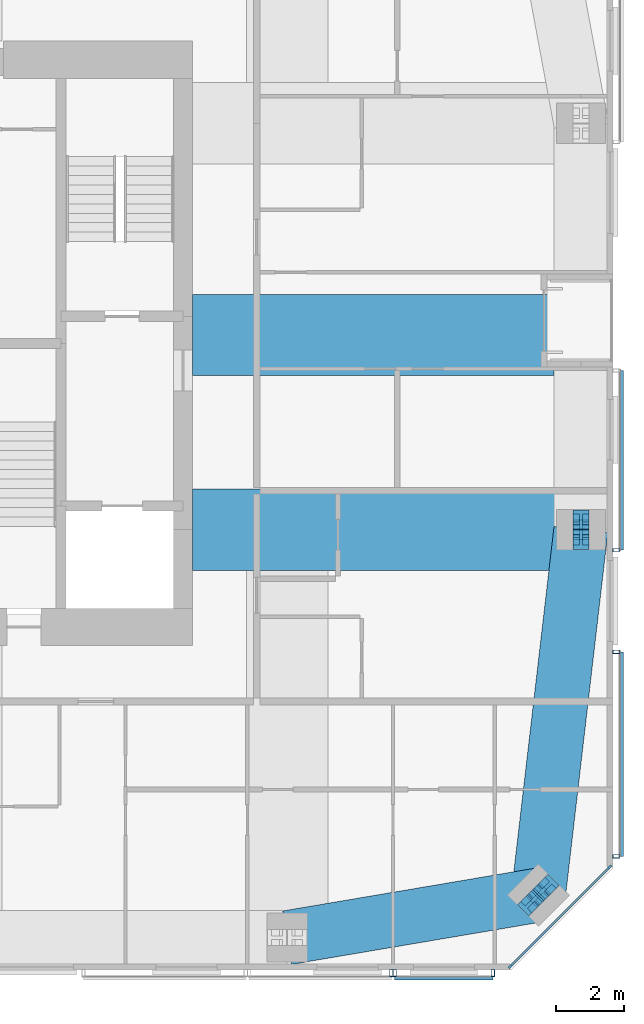
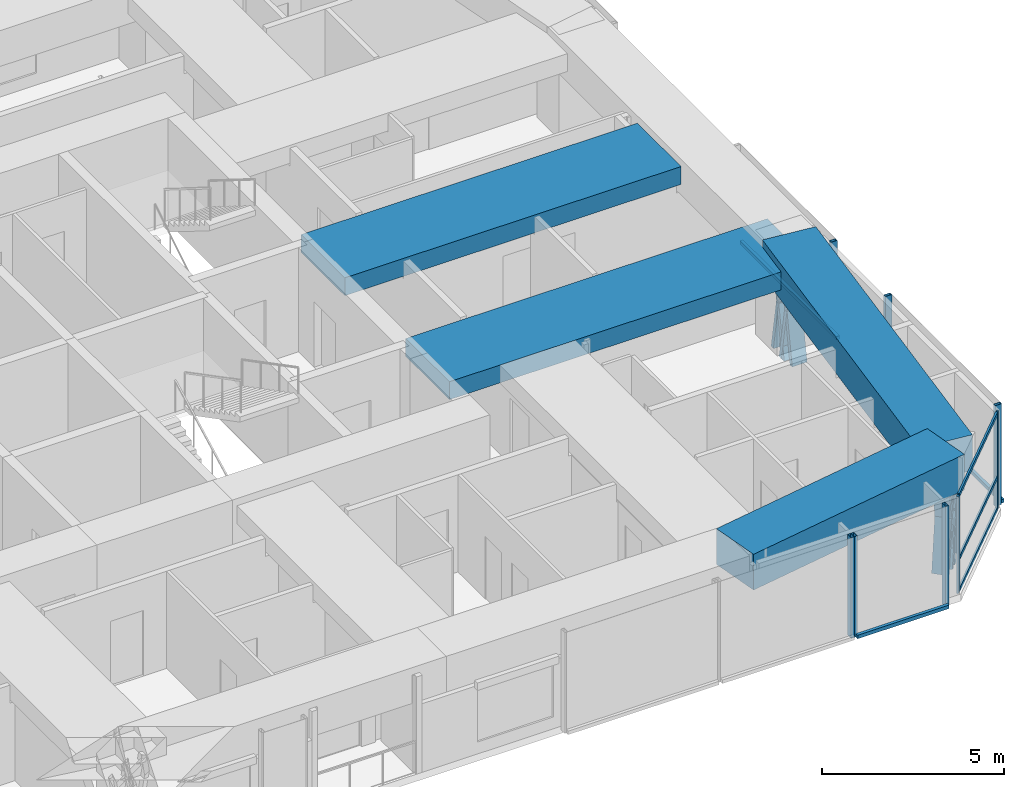
# One storey, part 8 of 20: 22 members, 4 beams, 5 elements without a shape of their own.
"""IFC4 building model written with IfcOpenShell, lengths in metres."""

import ifcopenshell
import ifcopenshell.guid

model = None  # the IFC model being written
_history = None  # IfcOwnerHistory: only IFC2X3 demands one
_inside = {}  # id of a spatial element -> (the spatial element, [elements in it])
_under = {}  # id of a project, library or spatial element -> (it, [spatial elements below it])
_declared = {}  # id of a project -> (the project, [libraries it declares])
_typed = {}  # id of a type object -> (the type object, [elements of that type])
_made_of = {}  # id of a material, layer set ... -> (it, [elements and type objects made of it])


def new_model(schema):
    """Start an empty IFC model of exactly this schema.

    Asked for "IFC4X3", IfcOpenShell would pick the latest addendum, in which some entities
    have other attributes; the version numbers below select the first issue.
    IFC2X3 requires an IfcOwnerHistory on every rooted entity: one is made here for all.
    """
    global model, _history
    if schema == "IFC4X3":
        model = ifcopenshell.file(schema_version=(4, 3, 0, 0))
    else:
        model = ifcopenshell.file(schema=schema)
    _inside.clear()
    _under.clear()
    _declared.clear()
    _typed.clear()
    _made_of.clear()
    _history = None
    if model.schema == "IFC2X3":
        org = make("IfcOrganization", Name="unknown")
        user = make(
            "IfcPersonAndOrganization",
            ThePerson=make("IfcPerson", FamilyName="unknown"),
            TheOrganization=org,
        )
        app = make(
            "IfcApplication",
            ApplicationDeveloper=org,
            Version="unknown",
            ApplicationFullName="unknown",
            ApplicationIdentifier="unknown",
        )
        _history = make(
            "IfcOwnerHistory",
            OwningUser=user,
            OwningApplication=app,
            ChangeAction="ADDED",
            CreationDate=0,
        )
    return model


def make(cls, **values):
    """One entity of the class cls with the attributes given. An attribute that is None is left unset."""
    return model.create_entity(
        cls, **{name: value for name, value in values.items() if value is not None}
    )


def rooted(cls, **values):
    """An entity with a GlobalId (a new one), such as an element, a storey or a relation."""
    return make(cls, GlobalId=ifcopenshell.guid.new(), OwnerHistory=_history, **values)


def si_unit(unit_type, name, prefix=None):
    """IfcSIUnit, for example si_unit("LENGTHUNIT", "METRE", prefix="MILLI")."""
    return make("IfcSIUnit", UnitType=unit_type, Prefix=prefix, Name=name)


def assignment(units):
    """IfcUnitAssignment: the units of a project."""
    return None if units is None else make("IfcUnitAssignment", Units=units)


def point(xyz):
    """IfcCartesianPoint."""
    return None if xyz is None else make("IfcCartesianPoint", Coordinates=xyz)


def direction(xyz):
    """IfcDirection."""
    return None if xyz is None else make("IfcDirection", DirectionRatios=xyz)


def frame(location, z_axis=None, x_axis=None):
    """IfcAxis2Placement3D, a coordinate frame: its origin and axes. An axis left out is left unset."""
    return make(
        "IfcAxis2Placement3D",
        Location=point(location),
        Axis=direction(z_axis),
        RefDirection=direction(x_axis),
    )


def frame_2d(location, x_axis=None):
    """IfcAxis2Placement2D, a coordinate frame in the plane: its origin and x axis."""
    return make(
        "IfcAxis2Placement2D", Location=point(location), RefDirection=direction(x_axis)
    )


def origin():
    """The frame at (0, 0, 0) with its axes left unset."""
    return frame((0.0, 0.0, 0.0))


def origin_2d():
    """The frame at (0, 0) in the plane with its x axis left unset."""
    return frame_2d((0.0, 0.0))


def place(relative_to, where):
    """IfcLocalPlacement: puts the frame where relative to a parent placement (None: the world)."""
    return make(
        "IfcLocalPlacement", PlacementRelTo=relative_to, RelativePlacement=where
    )


def context(
    kind, dimensions, precision=None, world=None, true_north=None, identifier=None
):
    """IfcGeometricRepresentationContext, for example the 3D "Model" context."""
    return make(
        "IfcGeometricRepresentationContext",
        ContextIdentifier=identifier,
        ContextType=kind,
        CoordinateSpaceDimension=dimensions,
        Precision=precision,
        WorldCoordinateSystem=world,
        TrueNorth=true_north,
    )


def subcontext(parent, identifier, kind, view, scale=None):
    """IfcGeometricRepresentationSubContext, for example "Body" below "Model"."""
    return make(
        "IfcGeometricRepresentationSubContext",
        ContextIdentifier=identifier,
        ContextType=kind,
        ParentContext=parent,
        TargetScale=scale,
        TargetView=view,
    )


def project(units=None, contexts=None):
    """IfcProject with its units and contexts."""
    return rooted(
        "IfcProject",
        Name="project",
        RepresentationContexts=contexts,
        UnitsInContext=assignment(units),
    )


def spatial(cls, under=None, at=None, **own):
    """A site, building, storey or space (cls), placed at a placement, below another one or the project."""
    s = rooted(cls, ObjectPlacement=at, **own)
    if under is not None:
        _under.setdefault(under.id(), (under, []))[1].append(s)
    return s


def profile(cls, at=None, kind="AREA", **sizes):
    """A parametric profile (cls). Its sizes go by their IFC names, for example OverallWidth=200.0."""
    return make(cls, ProfileType=kind, Position=at, **sizes)


def rectangle(**sizes):
    """IfcRectangleProfileDef."""
    return profile("IfcRectangleProfileDef", **sizes)


def hollow_rectangle(**sizes):
    """IfcRectangleHollowProfileDef."""
    return profile("IfcRectangleHollowProfileDef", **sizes)


def i_section(**sizes):
    """IfcIShapeProfileDef."""
    return profile("IfcIShapeProfileDef", **sizes)


def extrude(swept, where, along, depth):
    """IfcExtrudedAreaSolid: the profile swept, set in the frame where, extruded along a direction by depth."""
    return make(
        "IfcExtrudedAreaSolid",
        SweptArea=swept,
        Position=where,
        ExtrudedDirection=direction(along),
        Depth=depth,
    )


def shape(context_of_items, identifier, shape_type, items):
    """IfcShapeRepresentation: the items that make up one representation, for example the "Body"."""
    return make(
        "IfcShapeRepresentation",
        ContextOfItems=context_of_items,
        RepresentationIdentifier=identifier,
        RepresentationType=shape_type,
        Items=items,
    )


def material(Name=None, Category=None):
    """IfcMaterial."""
    return make("IfcMaterial", Name=Name, Category=Category)


def material_profile(
    of_material, cross_section, Name=None, Category=None, Priority=None
):
    """IfcMaterialProfile: a cross section and its material."""
    return make(
        "IfcMaterialProfile",
        Name=Name,
        Material=of_material,
        Profile=cross_section,
        Priority=Priority,
        Category=Category,
    )


def profile_set(profiles, Name=None, composite=None):
    """IfcMaterialProfileSet."""
    return make(
        "IfcMaterialProfileSet",
        Name=Name,
        MaterialProfiles=profiles,
        CompositeProfile=composite,
    )


def made_of(thing, what):
    """Note that an element or type object is made of a material, layer set ...; save() writes the relation."""
    if what is not None:
        _made_of.setdefault(what.id(), (what, []))[1].append(thing)
    return thing


def type_object(cls, material=None, **own):
    """A type object (cls), such as IfcWallType, which elements share."""
    return made_of(rooted(cls, **own), material)


def element(
    cls,
    number,
    at=None,
    inside=None,
    cuts=None,
    type_object=None,
    material=None,
    context=None,
    identifier="Body",
    shape_type=None,
    held_by="IfcProductDefinitionShape",
    body=None,
    shapes=None,
    **own,
):
    """One element of the class cls, such as IfcWall. Its Tag is "e" and its number.

    at: its placement. inside: the storey or other place that contains it. cuts: it is an
    opening in that element (IfcRelVoidsElement). A single representation is given by context,
    identifier, shape_type and body (its items); several are given by shapes. held_by: the class
    of the entity that holds the representations. save() writes the other relations.
    """
    e = rooted(cls, Tag="e%d" % number, ObjectPlacement=at, **own)
    if body is not None:
        shapes = [shape(context, identifier, shape_type, body)]
    if shapes is not None:
        e.Representation = make(held_by, Representations=shapes)
    if inside is not None:
        _inside.setdefault(inside.id(), (inside, []))[1].append(e)
    if cuts is not None:
        rooted(
            "IfcRelVoidsElement", RelatingBuildingElement=cuts, RelatedOpeningElement=e
        )
    if type_object is not None:
        _typed.setdefault(type_object.id(), (type_object, []))[1].append(e)
    return made_of(e, material)


def aggregate(whole, parts):
    """IfcRelAggregates: a whole, such as a stair, and the parts it consists of."""
    return rooted("IfcRelAggregates", RelatingObject=whole, RelatedObjects=parts)


def save(model, path):
    """Write the relations noted so far, then the file.

    IfcRelAggregates (storeys below a building ...), IfcRelContainedInSpatialStructure (elements
    in a storey), IfcRelDefinesByType, IfcRelAssociatesMaterial and IfcRelDeclares: one each for
    every whole, place, type object, material and project.
    """
    for whole, parts in _under.values():
        aggregate(whole, parts)
    for where, things in _inside.values():
        rooted(
            "IfcRelContainedInSpatialStructure",
            RelatedElements=things,
            RelatingStructure=where,
        )
    for kind, things in _typed.values():
        rooted("IfcRelDefinesByType", RelatedObjects=things, RelatingType=kind)
    for what, things in _made_of.values():
        rooted("IfcRelAssociatesMaterial", RelatedObjects=things, RelatingMaterial=what)
    for by, libraries in _declared.values():
        rooted("IfcRelDeclares", RelatingContext=by, RelatedDefinitions=libraries)
    model.write(path)


model = new_model("IFC4")

# Units and contexts
model_context = context("Model", 3, precision=1e-05, world=origin(), true_north=direction((0.0, 1.0)))
body_context = subcontext(model_context, "Body", "Model", "MODEL_VIEW")
ifc_project = project(units=[si_unit("LENGTHUNIT", "METRE"), si_unit("AREAUNIT", "SQUARE_METRE"), si_unit("VOLUMEUNIT", "CUBIC_METRE"), si_unit("PLANEANGLEUNIT", "RADIAN"), si_unit("MASSUNIT", "GRAM", prefix="KILO")], contexts=[model_context])

# Site, building, storey
site_placement = place(None, origin())
site = spatial("IfcSite", under=ifc_project, at=site_placement, CompositionType="ELEMENT")
building_placement = place(site_placement, origin())
building = spatial("IfcBuilding", under=site, at=building_placement, Name="Jalousie Tower", CompositionType="ELEMENT")
storey_placement = place(building_placement, frame((0.0, 0.0, 238.949951171875)))
storey = spatial("IfcBuildingStorey", under=building, at=storey_placement, Name="L65", CompositionType="ELEMENT", Elevation=238.949951171875)

# Curtain wall, members
ifc_material_1 = material(Name="Aluminium curtain wall", Category="aluminium")
curtain_wall_type_1 = type_object("IfcCurtainWallType", Name="CORNER WINDOW WALL", PredefinedType="USERDEFINED", material=ifc_material_1)
curtain_wall_1_placement = place(storey_placement, origin())
curtain_wall_1 = element("IfcCurtainWall", 1, at=curtain_wall_1_placement, inside=storey, type_object=curtain_wall_type_1, Name="Corner Window Wall L65 2", ObjectType="CORNER WINDOW WALL", PredefinedType="USERDEFINED")
ifc_material_2 = material(Name="Aluminium mullion", Category="aluminium")
ifc_material_profile_1 = material_profile(ifc_material_2, rectangle(XDim=0.06005859375, YDim=0.14990234375, at=origin_2d()), Name="MULLION 60x150")
ifc_profile_set_1 = profile_set([ifc_material_profile_1], Name="Aluminium mullion")
member_type_1 = type_object("IfcMemberType", Name="CORNER WINDOW WALL MULLION", PredefinedType="MULLION", material=ifc_profile_set_1)
member_1_placement = place(storey_placement, frame((53.469970703125, 0.108642578125, 0.0), z_axis=(0.0, 0.0, 1.0), x_axis=(-0.707106781187, 0.707106781187, 0.0)))
member_1 = element("IfcMember", 2, at=member_1_placement, type_object=member_type_1, Name="CW-C mullion 1", PredefinedType="MULLION", context=body_context, shape_type="SweptSolid", body=[
    extrude(rectangle(XDim=0.06005859375, YDim=0.14990234375, at=origin_2d()), origin(), (0.0, 0.0, 1.0), 3.260009765625),
])
member_2_placement = place(storey_placement, frame((56.391357421875, 3.030029296875, 0.0), z_axis=(0.0, 0.0, 1.0), x_axis=(-0.707106781187, 0.707106781187, 0.0)))
member_2 = element("IfcMember", 3, at=member_2_placement, type_object=member_type_1, Name="CW-C mullion 2", PredefinedType="MULLION", context=body_context, shape_type="SweptSolid", body=[
    extrude(rectangle(XDim=0.06005859375, YDim=0.14990234375, at=origin_2d()), origin(), (0.0, 0.0, 1.0), 3.260009765625),
])
ifc_material_3 = material(Name="Aluminium transom", Category="aluminium")
ifc_material_profile_2 = material_profile(ifc_material_3, rectangle(XDim=0.06005859375, YDim=0.1201171875, at=origin_2d()), Name="TRANSOM 60x120")
ifc_profile_set_2 = profile_set([ifc_material_profile_2], Name="Aluminium transom")
member_type_2 = type_object("IfcMemberType", Name="CORNER WINDOW WALL TRANSOM", PredefinedType="USERDEFINED", material=ifc_profile_set_2)
member_3_placement = place(storey_placement, frame((53.4912109375, 0.1298828125, 0.030029296875), z_axis=(0.707106781187, 0.707106781187, 0.0), x_axis=(-0.707106781187, 0.707106781187, 0.0)))
member_3 = element("IfcMember", 4, at=member_3_placement, type_object=member_type_2, Name="CW-C transom 1.1", ObjectType="TRANSOM", PredefinedType="USERDEFINED", context=body_context, shape_type="SweptSolid", body=[
    extrude(rectangle(XDim=0.06005859375, YDim=0.1201171875, at=origin_2d()), origin(), (0.0, 0.0, 1.0), 4.0712890625),
])
member_4_placement = place(storey_placement, frame((53.4912109375, 0.1298828125, 1.10009765625), z_axis=(0.707106781187, 0.707106781187, 0.0), x_axis=(-0.707106781187, 0.707106781187, 0.0)))
member_4 = element("IfcMember", 5, at=member_4_placement, type_object=member_type_2, Name="CW-C transom 1.2", ObjectType="TRANSOM", PredefinedType="USERDEFINED", context=body_context, shape_type="SweptSolid", body=[
    extrude(rectangle(XDim=0.06005859375, YDim=0.1201171875, at=origin_2d()), origin(), (0.0, 0.0, 1.0), 4.0712890625),
])
member_5_placement = place(storey_placement, frame((53.4912109375, 0.1298828125, 3.22998046875), z_axis=(0.707106781187, 0.707106781187, 0.0), x_axis=(-0.707106781187, 0.707106781187, 0.0)))
member_5 = element("IfcMember", 6, at=member_5_placement, type_object=member_type_2, Name="CW-C transom 1.3", ObjectType="TRANSOM", PredefinedType="USERDEFINED", context=body_context, shape_type="SweptSolid", body=[
    extrude(rectangle(XDim=0.06005859375, YDim=0.1201171875, at=origin_2d()), origin(), (0.0, 0.0, 1.0), 4.0712890625),
])
aggregate(curtain_wall_1, [member_1, member_2, member_3, member_4, member_5])

# Members
ifc_material_4 = material(Name="Steel ASTM A992 Grade 50", Category="steel")
ifc_material_profile_3 = material_profile(ifc_material_4, i_section(OverallWidth=0.472412109375, OverallDepth=0.5791015625, WebThickness=0.094970703125, FlangeThickness=0.1298828125, at=origin_2d()), Name="W14X808")
ifc_profile_set_3 = profile_set([ifc_material_profile_3], Name="Steel ASTM A992 Grade 50")
member_type_3 = type_object("IfcMemberType", Name="PERIMETER BRACE W14X808", PredefinedType="BRACE", material=ifc_profile_set_3)
for number, where, z_axis, x_axis, name in (
    (7, (54.04541015625, 1.959716796875, -0.599853515625), (0.138716051522, 0.138579250682, 0.980588419435), (-0.706757851183, 0.707455539091, 0.0), "Perimeter brace 05 L65 part 1"),
    (8, (54.29296875, 2.20703125, 1.150146484375), (0.138579250682, 0.138716051522, 0.980588419435), (-0.707455539091, 0.706757851183, 0.0), "Perimeter brace 05 L65 part 2"),
    (9, (54.540283203125, 2.45458984375, -0.599853515625), (-0.138579250682, -0.138716051522, 0.980588419435), (0.707455539091, -0.706757851183, 0.0), "Perimeter brace 05 L65 part 3"),
    (10, (54.29296875, 2.20703125, 1.150146484375), (-0.138716051522, -0.138579250682, 0.980588419435), (0.706757851183, -0.707455539091, 0.0), "Perimeter brace 05 L65 part 4"),
):
    element("IfcMember", number, at=place(storey_placement, frame(where, z_axis=z_axis, x_axis=x_axis)), inside=storey, type_object=member_type_3, Name=name, PredefinedType="BRACE", context=body_context, shape_type="SweptSolid", body=[
        extrude(i_section(OverallWidth=0.472412109375, OverallDepth=0.5791015625, WebThickness=0.094970703125, FlangeThickness=0.1298828125, at=origin_2d()), origin(), (0.0, 0.0, 1.0), 1.78466796875),
    ])
for number, where, z_axis, x_axis, name in (
    (11, (55.550048828125, 12.699951171875, -0.599853515625), (0.0, 0.168990530437, 0.98561767467), (-1.0, 0.0, 0.0), "Perimeter brace 06 L65 part 1"),
    (12, (55.550048828125, 13.0, 1.150146484375), (0.0, 0.168990530437, 0.98561767467), (-1.0, 0.0, 0.0), "Perimeter brace 06 L65 part 2"),
    (13, (55.550048828125, 13.300048828125, -0.599853515625), (0.0, -0.168990530437, 0.98561767467), (1.0, 0.0, 0.0), "Perimeter brace 06 L65 part 3"),
    (14, (55.550048828125, 13.0, 1.150146484375), (0.0, -0.168990530437, 0.98561767467), (1.0, 0.0, 0.0), "Perimeter brace 06 L65 part 4"),
):
    element("IfcMember", number, at=place(storey_placement, frame(where, z_axis=z_axis, x_axis=x_axis)), inside=storey, type_object=member_type_3, Name=name, PredefinedType="BRACE", context=body_context, shape_type="SweptSolid", body=[
        extrude(i_section(OverallWidth=0.472412109375, OverallDepth=0.5791015625, WebThickness=0.094970703125, FlangeThickness=0.1298828125, at=origin_2d()), origin(), (0.0, 0.0, 1.0), 1.775634765625),
    ])

# Beams
ifc_material_5 = material(Name="Concrete f'c 40 MPa", Category="concrete")
ifc_material_profile_4 = material_profile(ifc_material_5, rectangle(XDim=1.60009765625, YDim=1.199951171875, at=origin_2d()), Name="RC 1600x1200")
ifc_profile_set_4 = profile_set([ifc_material_profile_4], Name="Concrete f'c 40 MPa")
beam_type_1 = type_object("IfcBeamType", Name="RC BEAM 1600x1200", PredefinedType="BEAM", material=ifc_profile_set_4)
beam_1_placement = place(storey_placement, frame((46.875, 0.949951171875, 2.900146484375), z_axis=(0.985942997446, 0.167082033105, 0.0), x_axis=(-0.167082033105, 0.985942997446, 0.0)))
element("IfcBeam", 15, at=beam_1_placement, inside=storey, type_object=beam_type_1, Name="Edge band beam 04-05 under L66", PredefinedType="BEAM", context=body_context, shape_type="SweptSolid", body=[
    extrude(rectangle(XDim=1.60009765625, YDim=1.199951171875, at=origin_2d()), origin(), (0.0, 0.0, 1.0), 7.523681640625),
])
beam_2_placement = place(storey_placement, frame((54.29296875, 2.20703125, 2.900146484375), z_axis=(0.115690063472, 0.993285361421, 0.0), x_axis=(-0.993285361421, 0.115690063472, 0.0)))
element("IfcBeam", 16, at=beam_2_placement, inside=storey, type_object=beam_type_1, Name="Edge band beam 05-06 under L66", PredefinedType="BEAM", context=body_context, shape_type="SweptSolid", body=[
    extrude(rectangle(XDim=1.60009765625, YDim=1.199951171875, at=origin_2d()), origin(), (0.0, 0.0, 1.0), 10.865966796875),
])
ifc_material_6 = material(Name="Concrete f'c 40 MPa", Category="concrete")
ifc_material_profile_5 = material_profile(ifc_material_6, rectangle(XDim=2.39990234375, YDim=0.60009765625, at=origin_2d()), Name="RC 2400x600")
ifc_profile_set_5 = profile_set([ifc_material_profile_5], Name="Concrete f'c 40 MPa")
beam_type_2 = type_object("IfcBeamType", Name="RC BEAM 2400x600", PredefinedType="BEAM", material=ifc_profile_set_5)
beam_3_placement = place(storey_placement, frame((55.550048828125, 13.0, 2.9599609375), z_axis=(-1.0, 0.0, 0.0), x_axis=(0.0, -1.0, 0.0)))
element("IfcBeam", 17, at=beam_3_placement, inside=storey, type_object=beam_type_2, Name="Floor band beam under L66", PredefinedType="BEAM", context=body_context, shape_type="SweptSolid", body=[
    extrude(rectangle(XDim=2.39990234375, YDim=0.60009765625, at=origin_2d()), origin(), (0.0, 0.0, 1.0), 11.47509765625),
])
beam_4_placement = place(storey_placement, frame((44.074951171875, 18.75, 2.9599609375), z_axis=(1.0, 0.0, 0.0), x_axis=(0.0, 1.0, 0.0)))
element("IfcBeam", 18, at=beam_4_placement, inside=storey, type_object=beam_type_2, Name="Floor band beam under L66", PredefinedType="BEAM", context=body_context, shape_type="SweptSolid", body=[
    extrude(rectangle(XDim=2.39990234375, YDim=0.60009765625, at=origin_2d()), origin(), (0.0, 0.0, 1.0), 10.675048828125),
])

# Curtain wall, member
ifc_material_7 = material(Name="Perforated aluminium sheet", Category="aluminium")
curtain_wall_type_2 = type_object("IfcCurtainWallType", Name="SOLAR SCREEN SS-2", PredefinedType="USERDEFINED", material=ifc_material_7)
curtain_wall_2_placement = place(storey_placement, origin())
curtain_wall_2 = element("IfcCurtainWall", 19, at=curtain_wall_2_placement, inside=storey, type_object=curtain_wall_type_2, Name="Solar screen L65", ObjectType="SOLAR SCREEN SS-2", PredefinedType="USERDEFINED")
ifc_material_8 = material(Name="Steel ASTM A500 Grade C", Category="steel")
ifc_material_profile_6 = material_profile(ifc_material_8, hollow_rectangle(XDim=0.1015625, YDim=0.203125, WallThickness=0.0078125, at=origin_2d()), Name="HSS8X4X5/16")
ifc_profile_set_6 = profile_set([ifc_material_profile_6], Name="Steel ASTM A500 Grade C")
member_type_4 = type_object("IfcMemberType", Name="SOLAR SCREEN SS-2 MULLION", PredefinedType="MULLION", material=ifc_profile_set_6)
member_6_placement = place(storey_placement, frame((49.949951171875, -0.0966796875, -0.119873046875), z_axis=(0.0, 0.0, 1.0), x_axis=(1.0, 0.0, 0.0)))
member_6 = element("IfcMember", 20, at=member_6_placement, type_object=member_type_4, Name="SS2 post 2", PredefinedType="MULLION", context=body_context, shape_type="SweptSolid", body=[
    extrude(hollow_rectangle(XDim=0.1015625, YDim=0.203125, WallThickness=0.0078125, at=origin_2d()), origin(), (0.0, 0.0, 1.0), 3.3798828125),
])
aggregate(curtain_wall_2, [member_6])

# Curtain wall, members
curtain_wall_3_placement = place(storey_placement, origin())
curtain_wall_3 = element("IfcCurtainWall", 21, at=curtain_wall_3_placement, inside=storey, type_object=curtain_wall_type_2, Name="Solar screen L65", ObjectType="SOLAR SCREEN SS-2", PredefinedType="USERDEFINED")
member_7_placement = place(storey_placement, frame((50.050048828125, -0.0966796875, -0.119873046875), z_axis=(0.0, 0.0, 1.0), x_axis=(1.0, 0.0, 0.0)))
member_7 = element("IfcMember", 22, at=member_7_placement, type_object=member_type_4, Name="SS2 post 1", PredefinedType="MULLION", context=body_context, shape_type="SweptSolid", body=[
    extrude(hollow_rectangle(XDim=0.1015625, YDim=0.203125, WallThickness=0.0078125, at=origin_2d()), origin(), (0.0, 0.0, 1.0), 3.3798828125),
])
member_8_placement = place(storey_placement, frame((52.949951171875, -0.0966796875, -0.119873046875), z_axis=(0.0, 0.0, 1.0), x_axis=(1.0, 0.0, 0.0)))
member_8 = element("IfcMember", 23, at=member_8_placement, type_object=member_type_4, Name="SS2 post 2", PredefinedType="MULLION", context=body_context, shape_type="SweptSolid", body=[
    extrude(hollow_rectangle(XDim=0.1015625, YDim=0.203125, WallThickness=0.0078125, at=origin_2d()), origin(), (0.0, 0.0, 1.0), 3.3798828125),
])

curtain_wall_4_placement = place(storey_placement, origin())
curtain_wall_4 = element("IfcCurtainWall", 24, at=curtain_wall_4_placement, inside=storey, type_object=curtain_wall_type_2, Name="Solar screen L65", ObjectType="SOLAR SCREEN SS-2", PredefinedType="USERDEFINED")
member_9_placement = place(storey_placement, frame((56.5966796875, 3.351318359375, -0.119873046875), z_axis=(0.0, 0.0, 1.0), x_axis=(0.0, 1.0, 0.0)))
member_9 = element("IfcMember", 25, at=member_9_placement, type_object=member_type_4, Name="SS2 post 1", PredefinedType="MULLION", context=body_context, shape_type="SweptSolid", body=[
    extrude(hollow_rectangle(XDim=0.1015625, YDim=0.203125, WallThickness=0.0078125, at=origin_2d()), origin(), (0.0, 0.0, 1.0), 3.3798828125),
])
member_10_placement = place(storey_placement, frame((56.5966796875, 9.391357421875, -0.119873046875), z_axis=(0.0, 0.0, 1.0), x_axis=(0.0, 1.0, 0.0)))
member_10 = element("IfcMember", 26, at=member_10_placement, type_object=member_type_4, Name="SS2 post 2", PredefinedType="MULLION", context=body_context, shape_type="SweptSolid", body=[
    extrude(hollow_rectangle(XDim=0.1015625, YDim=0.203125, WallThickness=0.0078125, at=origin_2d()), origin(), (0.0, 0.0, 1.0), 3.3798828125),
])

# Curtain wall, member
curtain_wall_5_placement = place(storey_placement, origin())
curtain_wall_5 = element("IfcCurtainWall", 27, at=curtain_wall_5_placement, inside=storey, type_object=curtain_wall_type_2, Name="Solar screen L65", ObjectType="SOLAR SCREEN SS-2", PredefinedType="USERDEFINED")
member_11_placement = place(storey_placement, frame((56.5966796875, 12.391357421875, -0.119873046875), z_axis=(0.0, 0.0, 1.0), x_axis=(0.0, 1.0, 0.0)))
member_11 = element("IfcMember", 28, at=member_11_placement, type_object=member_type_4, Name="SS2 post 1", PredefinedType="MULLION", context=body_context, shape_type="SweptSolid", body=[
    extrude(hollow_rectangle(XDim=0.1015625, YDim=0.203125, WallThickness=0.0078125, at=origin_2d()), origin(), (0.0, 0.0, 1.0), 3.3798828125),
])

# Member
ifc_material_9 = material(Name="Extruded aluminium screen rail", Category="aluminium")
ifc_material_profile_7 = material_profile(ifc_material_9, rectangle(XDim=0.1015625, YDim=0.1201171875, at=origin_2d()), Name="RAIL 102x120")
ifc_profile_set_7 = profile_set([ifc_material_profile_7], Name="Extruded aluminium screen rail")
member_type_5 = type_object("IfcMemberType", Name="SOLAR SCREEN SS-2 TRANSOM", PredefinedType="USERDEFINED", material=ifc_profile_set_7)
member_12_placement = place(storey_placement, frame((50.050048828125, -0.2490234375, -0.06005859375), z_axis=(1.0, 0.0, 0.0), x_axis=(0.0, 1.0, 0.0)))
member_12 = element("IfcMember", 29, at=member_12_placement, type_object=member_type_5, Name="SS2 rail", ObjectType="TRANSOM", PredefinedType="USERDEFINED", context=body_context, shape_type="SweptSolid", body=[
    extrude(rectangle(XDim=0.1015625, YDim=0.1201171875, at=origin_2d()), origin(), (0.0, 0.0, 1.0), 2.89990234375),
])

aggregate(curtain_wall_3, [member_7, member_8, member_12])

member_13_placement = place(storey_placement, frame((56.7490234375, 3.351318359375, -0.06005859375), z_axis=(0.0, 1.0, 0.0), x_axis=(-1.0, 0.0, 0.0)))
member_13 = element("IfcMember", 30, at=member_13_placement, type_object=member_type_5, Name="SS2 rail", ObjectType="TRANSOM", PredefinedType="USERDEFINED", context=body_context, shape_type="SweptSolid", body=[
    extrude(rectangle(XDim=0.1015625, YDim=0.1201171875, at=origin_2d()), origin(), (0.0, 0.0, 1.0), 6.0400390625),
])

aggregate(curtain_wall_4, [member_9, member_10, member_13])

member_14_placement = place(storey_placement, frame((56.7490234375, 12.391357421875, -0.06005859375), z_axis=(0.0, 1.0, 0.0), x_axis=(-1.0, 0.0, 0.0)))
member_14 = element("IfcMember", 31, at=member_14_placement, type_object=member_type_5, Name="SS2 rail", ObjectType="TRANSOM", PredefinedType="USERDEFINED", context=body_context, shape_type="SweptSolid", body=[
    extrude(rectangle(XDim=0.1015625, YDim=0.1201171875, at=origin_2d()), origin(), (0.0, 0.0, 1.0), 5.30859375),
])

aggregate(curtain_wall_5, [member_11, member_14])

save(model, "model.ifc")
